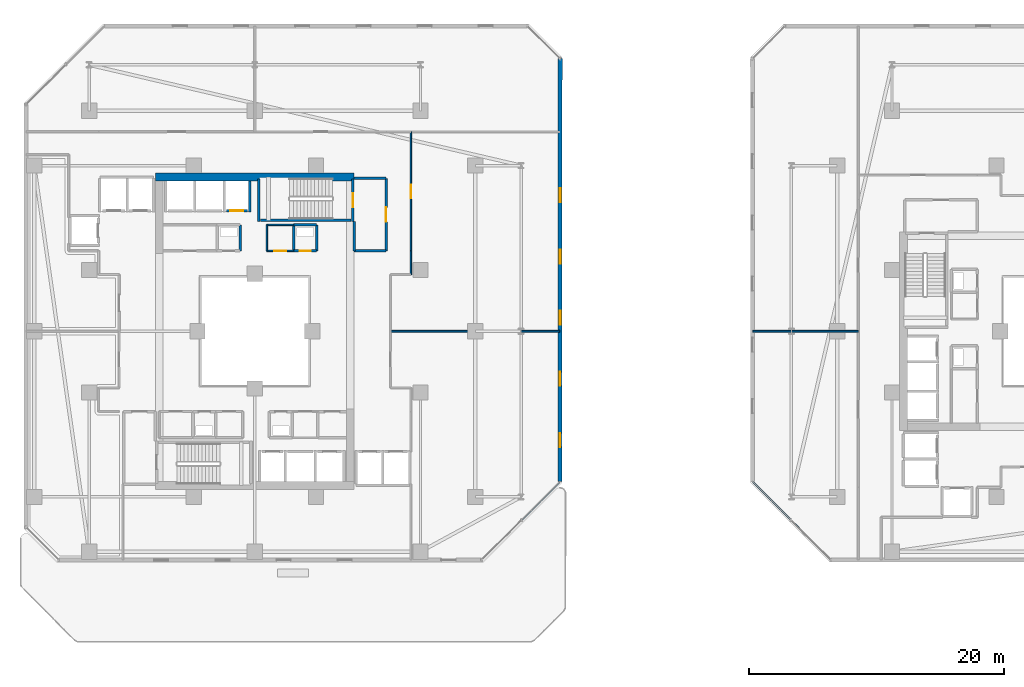
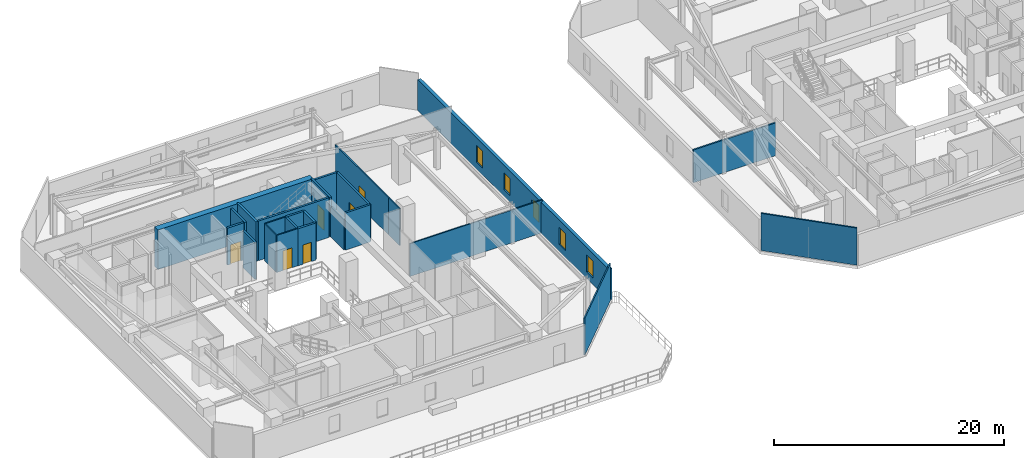
# One storey, part 18 of 30: 25 walls, 6 doors, 5 windows, 11 openings.
"""IFC4 building model written with IfcOpenShell, lengths in metres."""

from ifc_helpers import new_model, si_unit, direction, frame, frame_2d, origin, place, context, subcontext, project, spatial, rectangle, extrude, material, layer, layer_set, type_object, element, fill, save


model = new_model("IFC4")

# Units and contexts
model_context = context("Model", 3, precision=1e-05, world=origin(), true_north=direction((0.0, 1.0)))
body_context = subcontext(model_context, "Body", "Model", "MODEL_VIEW")
ifc_project = project(units=[si_unit("LENGTHUNIT", "METRE"), si_unit("AREAUNIT", "SQUARE_METRE"), si_unit("VOLUMEUNIT", "CUBIC_METRE"), si_unit("PLANEANGLEUNIT", "RADIAN"), si_unit("MASSUNIT", "GRAM", prefix="KILO")], contexts=[model_context])

# Site, building, storey
site_placement = place(None, origin())
site = spatial("IfcSite", under=ifc_project, at=site_placement, CompositionType="ELEMENT")
building_placement = place(site_placement, origin())
building = spatial("IfcBuilding", under=site, at=building_placement, Name="Thornwick Lancets Civic Towers", CompositionType="ELEMENT")
storey_placement = place(building_placement, frame((0.0, 0.0, 75.89990234375)))
storey = spatial("IfcBuildingStorey", under=building, at=storey_placement, Name="L19", CompositionType="ELEMENT", Elevation=75.89990234375)

# Wall, opening, door
ifc_material_1 = material(Name="Concrete blockwork C40/50", Category="masonry")
ifc_layer_1 = layer(ifc_material_1, 0.199951171875, Name="Concrete blockwork C40/50")
ifc_layer_set_1 = layer_set([ifc_layer_1], Name="Concrete blockwork C40/50")
wall_type_1 = type_object("IfcWallType", Name="WALL_COMP_200", PredefinedType="STANDARD", material=ifc_layer_set_1)
wall_1_placement = place(storey_placement, frame((24.919921875, 36.449951171875, 0.0), z_axis=(0.0, 0.0, 1.0), x_axis=(-1.0, 0.0, 0.0)))
wall_1 = element("IfcWall", 1, at=wall_1_placement, inside=storey, type_object=wall_type_1, Name="L19 Hoistway Front Wall FL-A2", PredefinedType="STANDARD", context=body_context, shape_type="SweptSolid", body=[
    extrude(rectangle(XDim=1.639892578125, YDim=0.199951171875, at=frame_2d((0.81982421875, 0.0))), origin(), (0.0, 0.0, 1.0), 3.940185546875),
])
opening_1_placement = place(wall_1_placement, frame((0.31005859375, 0.0, 0.0)))
opening_1 = element("IfcOpeningElement", 2, at=opening_1_placement, cuts=wall_1, Name="Opening LD-FL-A2", PredefinedType="OPENING", context=body_context, shape_type="SweptSolid", body=[
    extrude(rectangle(XDim=1.02001953125, YDim=2.06005859375, at=frame_2d((0.510009765625, 1.030029296875))), frame((0.0, 0.10986328125, 0.0), z_axis=(0.0, -1.0, 0.0), x_axis=(1.0, 0.0, 0.0)), (0.0, 0.0, 1.0), 0.219970703125),
])
ifc_material_2 = material(Name="Brushed bronze stainless steel", Category="steel")
door_type_1 = type_object("IfcDoorType", Name="DOOR_LIFT_SLIDE", OperationType="SLIDING_TO_LEFT", PredefinedType="DOOR", material=ifc_material_2)
door_1_placement = place(opening_1_placement, origin())
door_1 = element("IfcDoor", 3, at=door_1_placement, inside=storey, type_object=door_type_1, Name="L19 Sliding Lift Landing Door LD-FL-A2", OperationType="SLIDING_TO_LEFT", OverallHeight=2.06005859375, OverallWidth=1.02001953125, PredefinedType="DOOR", context=body_context, shape_type="SweptSolid", body=[
    extrude(rectangle(XDim=1.02001953125, YDim=2.06005859375, at=frame_2d((0.510009765625, 1.030029296875))), frame((0.0, 0.02490234375, 0.0), z_axis=(0.0, -1.0, 0.0), x_axis=(1.0, 0.0, 0.0)), (0.0, 0.0, 1.0), 0.050048828125),
])
fill(opening_1, door_1)

# Walls
wall_2_placement = place(storey_placement, frame((25.10009765625, 36.35205078125, 0.0), z_axis=(0.0, 0.0, 1.0), x_axis=(0.0, 1.0, 0.0)))
element("IfcWall", 4, at=wall_2_placement, inside=storey, type_object=wall_type_1, Name="L19 Hoistway Shaft Wall FL-A2 E", PredefinedType="STANDARD", context=body_context, shape_type="SweptSolid", body=[
    extrude(rectangle(XDim=2.43603515625, YDim=0.199951171875, at=frame_2d((1.218017578125, 0.0))), origin(), (0.0, 0.0, 1.0), 3.940185546875),
])
wall_3_placement = place(storey_placement, frame((33.300048828125, 33.300048828125, 0.0), z_axis=(0.0, 0.0, 1.0), x_axis=(1.0, 0.0, 0.0)))
element("IfcWall", 5, at=wall_3_placement, inside=storey, type_object=wall_type_1, Name="L19 Partition L19-A-FFLOB2 E1", PredefinedType="STANDARD", context=body_context, shape_type="SweptSolid", body=[
    extrude(rectangle(XDim=2.5, YDim=0.199951171875, at=frame_2d((1.25, 0.0))), origin(), (0.0, 0.0, 1.0), 3.940185546875),
])

# Wall, opening, door
wall_4_placement = place(storey_placement, frame((35.800048828125, 33.300048828125, 0.0), z_axis=(0.0, 0.0, 1.0), x_axis=(0.0, 1.0, 0.0)))
wall_4 = element("IfcWall", 6, at=wall_4_placement, inside=storey, type_object=wall_type_1, Name="L19 Partition L19-A-FFLOB2 E2", PredefinedType="STANDARD", context=body_context, shape_type="SweptSolid", body=[
    extrude(rectangle(XDim=5.699951171875, YDim=0.199951171875, at=frame_2d((2.85009765625, 0.0))), origin(), (0.0, 0.0, 1.0), 3.940185546875),
])
opening_2_placement = place(wall_4_placement, frame((2.27490234375, 0.0, 0.0)))
opening_2 = element("IfcOpeningElement", 7, at=opening_2_placement, cuts=wall_4, Name="Opening D-L19-0892", PredefinedType="OPENING", context=body_context, shape_type="SweptSolid", body=[
    extrude(rectangle(XDim=1.14990234375, YDim=2.10009765625, at=frame_2d((0.574951171875, 1.050048828125))), frame((0.0, 0.10986328125, 0.0), z_axis=(0.0, -1.0, 0.0), x_axis=(1.0, 0.0, 0.0)), (0.0, 0.0, 1.0), 0.219970703125),
])
ifc_material_3 = material(Name="Glazed fire-resisting steel", Category="steel")
door_type_2 = type_object("IfcDoorType", Name="DOOR_LOBBY_FD60", OperationType="NOTDEFINED", PredefinedType="DOOR", material=ifc_material_3)
door_2_placement = place(opening_2_placement, origin())
door_2 = element("IfcDoor", 8, at=door_2_placement, inside=storey, type_object=door_type_2, Name="L19 North Firefighting Lobby 2 Door", OperationType="SINGLE_SWING_LEFT", OverallHeight=2.10009765625, OverallWidth=1.14990234375, PredefinedType="DOOR", context=body_context, shape_type="SweptSolid", body=[
    extrude(rectangle(XDim=1.14990234375, YDim=2.10009765625, at=frame_2d((0.574951171875, 1.050048828125))), frame((0.0, 0.02490234375, 0.0), z_axis=(0.0, -1.0, 0.0), x_axis=(1.0, 0.0, 0.0)), (0.0, 0.0, 1.0), 0.050048828125),
])
fill(opening_2, door_2)

# Walls
wall_5_placement = place(storey_placement, frame((35.800048828125, 39.0, 0.0), z_axis=(0.0, 0.0, 1.0), x_axis=(-1.0, 0.0, 0.0)))
element("IfcWall", 9, at=wall_5_placement, inside=storey, type_object=wall_type_1, Name="L19 Partition L19-A-FFLOB2 E3", PredefinedType="STANDARD", context=body_context, shape_type="SweptSolid", body=[
    extrude(rectangle(XDim=2.5, YDim=0.199951171875, at=frame_2d((1.25, 0.0))), origin(), (0.0, 0.0, 1.0), 3.940185546875),
])
wall_6_placement = place(storey_placement, frame((33.300048828125, 35.60009765625, 0.0), z_axis=(0.0, 0.0, 1.0), x_axis=(0.0, -1.0, 0.0)))
element("IfcWall", 10, at=wall_6_placement, inside=storey, type_object=wall_type_1, Name="L19 Partition L19-A-FFLOB2 E4", PredefinedType="STANDARD", context=body_context, shape_type="SweptSolid", body=[
    extrude(rectangle(XDim=2.300048828125, YDim=0.199951171875, at=frame_2d((1.14990234375, 0.0))), origin(), (0.0, 0.0, 1.0), 3.14501953125),
])
wall_7_placement = place(storey_placement, frame((24.35009765625, 33.300048828125, 0.0), z_axis=(0.0, 0.0, 1.0), x_axis=(0.0, 1.0, 0.0)))
element("IfcWall", 11, at=wall_7_placement, inside=storey, type_object=wall_type_1, Name="L19 Partition L19-A-DUCT2 E2", PredefinedType="STANDARD", context=body_context, shape_type="SweptSolid", body=[
    extrude(rectangle(XDim=2.050048828125, YDim=0.199951171875, at=frame_2d((1.02490234375, 0.0))), origin(), (0.0, 0.0, 1.0), 3.940185546875),
])

# Wall, opening, door
wall_8_placement = place(storey_placement, frame((28.550048828125, 33.300048828125, 0.0), z_axis=(0.0, 0.0, 1.0), x_axis=(1.0, 0.0, 0.0)))
wall_8 = element("IfcWall", 12, at=wall_8_placement, inside=storey, type_object=wall_type_1, Name="L19 Partition L19-A-RISER2 E1", PredefinedType="STANDARD", context=body_context, shape_type="SweptSolid", body=[
    extrude(rectangle(XDim=1.800048828125, YDim=0.199951171875, at=frame_2d((0.89990234375, 0.0))), origin(), (0.0, 0.0, 1.0), 3.940185546875),
])
opening_3_placement = place(wall_8_placement, frame((0.4599609375, 0.0, 0.0)))
opening_3 = element("IfcOpeningElement", 13, at=opening_3_placement, cuts=wall_8, Name="Opening D-L19-0896", PredefinedType="OPENING", context=body_context, shape_type="SweptSolid", body=[
    extrude(rectangle(XDim=0.8798828125, YDim=2.0400390625, at=frame_2d((0.43994140625, 1.02001953125))), frame((0.0, 0.10986328125, 0.0), z_axis=(0.0, -1.0, 0.0), x_axis=(1.0, 0.0, 0.0)), (0.0, 0.0, 1.0), 0.219970703125),
])
ifc_material_4 = material(Name="Steel riser access doorset", Category="steel")
door_type_3 = type_object("IfcDoorType", Name="DOOR_RISER_850", OperationType="NOTDEFINED", PredefinedType="DOOR", material=ifc_material_4)
door_3_placement = place(opening_3_placement, origin())
door_3 = element("IfcDoor", 14, at=door_3_placement, inside=storey, type_object=door_type_3, Name="L19 North Service Riser 2 Door", OperationType="SINGLE_SWING_LEFT", OverallHeight=2.0400390625, OverallWidth=0.8798828125, PredefinedType="DOOR", context=body_context, shape_type="SweptSolid", body=[
    extrude(rectangle(XDim=0.8798828125, YDim=2.0400390625, at=frame_2d((0.43994140625, 1.02001953125))), frame((0.0, 0.02490234375, 0.0), z_axis=(0.0, -1.0, 0.0), x_axis=(1.0, 0.0, 0.0)), (0.0, 0.0, 1.0), 0.050048828125),
])
fill(opening_3, door_3)

# Walls
wall_9_placement = place(storey_placement, frame((30.35009765625, 33.300048828125, 0.0), z_axis=(0.0, 0.0, 1.0), x_axis=(0.0, 1.0, 0.0)))
element("IfcWall", 15, at=wall_9_placement, inside=storey, type_object=wall_type_1, Name="L19 Partition L19-A-RISER2 E2", PredefinedType="STANDARD", context=body_context, shape_type="SweptSolid", body=[
    extrude(rectangle(XDim=2.050048828125, YDim=0.199951171875, at=frame_2d((1.02490234375, 0.0))), origin(), (0.0, 0.0, 1.0), 3.940185546875),
])
wall_10_placement = place(storey_placement, frame((30.35009765625, 35.35009765625, 0.0), z_axis=(0.0, 0.0, 1.0), x_axis=(-1.0, 0.0, 0.0)))
element("IfcWall", 16, at=wall_10_placement, inside=storey, type_object=wall_type_1, Name="L19 Partition L19-A-RISER2 E3", PredefinedType="STANDARD", context=body_context, shape_type="SweptSolid", body=[
    extrude(rectangle(XDim=1.800048828125, YDim=0.199951171875, at=frame_2d((0.89990234375, 0.0))), origin(), (0.0, 0.0, 1.0), 3.940185546875),
])
wall_11_placement = place(storey_placement, frame((28.550048828125, 35.35009765625, 0.0), z_axis=(0.0, 0.0, 1.0), x_axis=(0.0, -1.0, 0.0)))
element("IfcWall", 17, at=wall_11_placement, inside=storey, type_object=wall_type_1, Name="L19 Partition L19-A-RISER2 E4", PredefinedType="STANDARD", context=body_context, shape_type="SweptSolid", body=[
    extrude(rectangle(XDim=2.050048828125, YDim=0.199951171875, at=frame_2d((1.02490234375, 0.0))), origin(), (0.0, 0.0, 1.0), 3.940185546875),
])
ifc_material_5 = material(Name="Concrete C60/75", Category="concrete")
ifc_layer_2 = layer(ifc_material_5, 0.60009765625, Name="Concrete C60/75")
ifc_layer_set_2 = layer_set([ifc_layer_2], Name="Concrete C60/75")
wall_type_2 = type_object("IfcWallType", Name="WALL_CORE_600", PredefinedType="SHEAR", material=ifc_layer_set_2)
wall_12_placement = place(storey_placement, frame((17.699951171875, 39.10009765625, 0.0), z_axis=(0.0, 0.0, 1.0), x_axis=(1.0, 0.0, 0.0)))
element("IfcWall", 18, at=wall_12_placement, inside=storey, type_object=wall_type_2, Name="L19 Split Core A2 Shear Wall N", PredefinedType="SHEAR", context=body_context, shape_type="SweptSolid", body=[
    extrude(rectangle(XDim=15.60009765625, YDim=0.60009765625, at=frame_2d((7.800048828125, 0.0))), origin(), (0.0, 0.0, 1.0), 4.2001953125),
])

# Wall, openings, windows
ifc_material_6 = material(Name="Insulated buff terracotta rainscreen on concrete C40/50", Category="masonry")
ifc_layer_3 = layer(ifc_material_6, 0.320068359375, Name="Insulated buff terracotta rainscreen on concrete C40/50")
ifc_layer_set_3 = layer_set([ifc_layer_3], Name="Insulated buff terracotta rainscreen on concrete C40/50")
wall_type_3 = type_object("IfcWallType", Name="WALL_EXT_TERRA_320", PredefinedType="STANDARD", material=ifc_layer_set_3)
wall_13_placement = place(storey_placement, frame((49.452880859375, 15.203857421875, 0.0), z_axis=(0.0, 0.0, 1.0), x_axis=(0.000353213856, 0.99999993762, 0.0)))
wall_13 = element("IfcWall", 19, at=wall_13_placement, inside=storey, type_object=wall_type_3, Name="L19 Tower A Terracotta Facade Wall E2", PredefinedType="STANDARD", context=body_context, shape_type="SweptSolid", body=[
    extrude(rectangle(XDim=33.177490234375, YDim=0.320068359375, at=frame_2d((16.5888671875, 0.0))), origin(), (0.0, 0.0, 1.0), 3.300048828125),
])
opening_4_placement = place(wall_13_placement, frame((2.699951171875, 0.0, 0.719970703125)))
opening_4 = element("IfcOpeningElement", 20, at=opening_4_placement, cuts=wall_13, Name="Opening WL-02", PredefinedType="OPENING", context=body_context, shape_type="SweptSolid", body=[
    extrude(rectangle(XDim=1.10009765625, YDim=1.800048828125, at=frame_2d((0.550048828125, 0.89990234375))), frame((0.0, 0.169921875, 0.0), z_axis=(0.0, -1.0, 0.0), x_axis=(1.0, 0.0, 0.0)), (0.0, 0.0, 1.0), 0.340087890625),
])
opening_5_placement = place(wall_13_placement, frame((7.5, 0.0, 0.719970703125)))
opening_5 = element("IfcOpeningElement", 21, at=opening_5_placement, cuts=wall_13, Name="Opening WL-02", PredefinedType="OPENING", context=body_context, shape_type="SweptSolid", body=[
    extrude(rectangle(XDim=1.10009765625, YDim=1.800048828125, at=frame_2d((0.550048828125, 0.89990234375))), frame((0.0, 0.169921875, 0.0), z_axis=(0.0, -1.0, 0.0), x_axis=(1.0, 0.0, 0.0)), (0.0, 0.0, 1.0), 0.340087890625),
])
opening_6_placement = place(wall_13_placement, frame((12.300048828125, 0.0, 0.719970703125)))
opening_6 = element("IfcOpeningElement", 22, at=opening_6_placement, cuts=wall_13, Name="Opening WL-02", PredefinedType="OPENING", context=body_context, shape_type="SweptSolid", body=[
    extrude(rectangle(XDim=1.10009765625, YDim=1.800048828125, at=frame_2d((0.550048828125, 0.89990234375))), frame((0.0, 0.169921875, 0.0), z_axis=(0.0, -1.0, 0.0), x_axis=(1.0, 0.0, 0.0)), (0.0, 0.0, 1.0), 0.340087890625),
])
opening_7_placement = place(wall_13_placement, frame((17.10009765625, 0.0, 0.719970703125)))
opening_7 = element("IfcOpeningElement", 23, at=opening_7_placement, cuts=wall_13, Name="Opening WL-02", PredefinedType="OPENING", context=body_context, shape_type="SweptSolid", body=[
    extrude(rectangle(XDim=1.10009765625, YDim=1.800048828125, at=frame_2d((0.550048828125, 0.89990234375))), frame((0.0, 0.169921875, 0.0), z_axis=(0.0, -1.0, 0.0), x_axis=(1.0, 0.0, 0.0)), (0.0, 0.0, 1.0), 0.340087890625),
])
opening_8_placement = place(wall_13_placement, frame((21.89990234375, 0.0, 0.719970703125)))
opening_8 = element("IfcOpeningElement", 24, at=opening_8_placement, cuts=wall_13, Name="Opening WL-02", PredefinedType="OPENING", context=body_context, shape_type="SweptSolid", body=[
    extrude(rectangle(XDim=1.10009765625, YDim=1.800048828125, at=frame_2d((0.550048828125, 0.89990234375))), frame((0.0, 0.169921875, 0.0), z_axis=(0.0, -1.0, 0.0), x_axis=(1.0, 0.0, 0.0)), (0.0, 0.0, 1.0), 0.340087890625),
])
ifc_material_7 = material(Name="Clear low-e double glazing in bronze frame", Category="glass")
window_type = type_object("IfcWindowType", Name="WIN_LANCET_1100", PartitioningType="SINGLE_PANEL", PredefinedType="WINDOW", material=ifc_material_7)
window_1_placement = place(opening_4_placement, origin())
window_1 = element("IfcWindow", 25, at=window_1_placement, inside=storey, type_object=window_type, Name="L19 Tower A Staggered Lancet Window E2-1", OverallHeight=1.800048828125, OverallWidth=1.10009765625, PartitioningType="SINGLE_PANEL", PredefinedType="WINDOW", context=body_context, shape_type="SweptSolid", body=[
    extrude(rectangle(XDim=1.10009765625, YDim=1.800048828125, at=frame_2d((0.550048828125, 0.89990234375))), frame((0.0, 0.030029296875, 0.0), z_axis=(0.0, -1.0, 0.0), x_axis=(1.0, 0.0, 0.0)), (0.0, 0.0, 1.0), 0.06005859375),
])
fill(opening_4, window_1)
window_2_placement = place(opening_5_placement, origin())
window_2 = element("IfcWindow", 26, at=window_2_placement, inside=storey, type_object=window_type, Name="L19 Tower A Staggered Lancet Window E2-2", OverallHeight=1.800048828125, OverallWidth=1.10009765625, PartitioningType="SINGLE_PANEL", PredefinedType="WINDOW", context=body_context, shape_type="SweptSolid", body=[
    extrude(rectangle(XDim=1.10009765625, YDim=1.800048828125, at=frame_2d((0.550048828125, 0.89990234375))), frame((0.0, 0.030029296875, 0.0), z_axis=(0.0, -1.0, 0.0), x_axis=(1.0, 0.0, 0.0)), (0.0, 0.0, 1.0), 0.06005859375),
])
fill(opening_5, window_2)
window_3_placement = place(opening_6_placement, origin())
window_3 = element("IfcWindow", 27, at=window_3_placement, inside=storey, type_object=window_type, Name="L19 Tower A Staggered Lancet Window E2-3", OverallHeight=1.800048828125, OverallWidth=1.10009765625, PartitioningType="SINGLE_PANEL", PredefinedType="WINDOW", context=body_context, shape_type="SweptSolid", body=[
    extrude(rectangle(XDim=1.10009765625, YDim=1.800048828125, at=frame_2d((0.550048828125, 0.89990234375))), frame((0.0, 0.030029296875, 0.0), z_axis=(0.0, -1.0, 0.0), x_axis=(1.0, 0.0, 0.0)), (0.0, 0.0, 1.0), 0.06005859375),
])
fill(opening_6, window_3)
window_4_placement = place(opening_7_placement, origin())
window_4 = element("IfcWindow", 28, at=window_4_placement, inside=storey, type_object=window_type, Name="L19 Tower A Staggered Lancet Window E2-4", OverallHeight=1.800048828125, OverallWidth=1.10009765625, PartitioningType="SINGLE_PANEL", PredefinedType="WINDOW", context=body_context, shape_type="SweptSolid", body=[
    extrude(rectangle(XDim=1.10009765625, YDim=1.800048828125, at=frame_2d((0.550048828125, 0.89990234375))), frame((0.0, 0.030029296875, 0.0), z_axis=(0.0, -1.0, 0.0), x_axis=(1.0, 0.0, 0.0)), (0.0, 0.0, 1.0), 0.06005859375),
])
fill(opening_7, window_4)
window_5_placement = place(opening_8_placement, origin())
window_5 = element("IfcWindow", 29, at=window_5_placement, inside=storey, type_object=window_type, Name="L19 Tower A Staggered Lancet Window E2-5", OverallHeight=1.800048828125, OverallWidth=1.10009765625, PartitioningType="SINGLE_PANEL", PredefinedType="WINDOW", context=body_context, shape_type="SweptSolid", body=[
    extrude(rectangle(XDim=1.10009765625, YDim=1.800048828125, at=frame_2d((0.550048828125, 0.89990234375))), frame((0.0, 0.030029296875, 0.0), z_axis=(0.0, -1.0, 0.0), x_axis=(1.0, 0.0, 0.0)), (0.0, 0.0, 1.0), 0.06005859375),
])
fill(opening_8, window_5)

# Walls
ifc_material_8 = material(Name="Acoustic gypsum board partition")
ifc_layer_4 = layer(ifc_material_8, 0.1201171875, Name="Acoustic gypsum board partition")
ifc_layer_set_4 = layer_set([ifc_layer_4], Name="Acoustic gypsum board partition")
wall_type_4 = type_object("IfcWallType", Name="WALL_PART_120", PredefinedType="PARTITIONING", material=ifc_layer_set_4)
wall_14_placement = place(storey_placement, frame((26.449951171875, 33.300048828125, 0.0), z_axis=(0.0, 0.0, 1.0), x_axis=(0.0, 1.0, 0.0)))
element("IfcWall", 30, at=wall_14_placement, inside=storey, type_object=wall_type_4, Name="L19 Partition L19-A-ITR E1", PredefinedType="PARTITIONING", context=body_context, shape_type="SweptSolid", body=[
    extrude(rectangle(XDim=2.050048828125, YDim=0.1201171875, at=frame_2d((1.02490234375, 0.0))), origin(), (0.0, 0.0, 1.0), 3.940185546875),
])
wall_15_placement = place(storey_placement, frame((26.449951171875, 35.35009765625, 0.0), z_axis=(0.0, 0.0, 1.0), x_axis=(1.0, 0.0, 0.0)))
element("IfcWall", 31, at=wall_15_placement, inside=storey, type_object=wall_type_4, Name="L19 Partition L19-A-ITR E2", PredefinedType="PARTITIONING", context=body_context, shape_type="SweptSolid", body=[
    extrude(rectangle(XDim=2.10009765625, YDim=0.1201171875, at=frame_2d((1.050048828125, 0.0))), origin(), (0.0, 0.0, 1.0), 3.940185546875),
])

# Wall, opening, door
wall_16_placement = place(storey_placement, frame((28.550048828125, 33.300048828125, 0.0), z_axis=(0.0, 0.0, 1.0), x_axis=(-1.0, 0.0, 0.0)))
wall_16 = element("IfcWall", 32, at=wall_16_placement, inside=storey, type_object=wall_type_4, Name="L19 Partition L19-A-ITR E4", PredefinedType="PARTITIONING", context=body_context, shape_type="SweptSolid", body=[
    extrude(rectangle(XDim=2.10009765625, YDim=0.1201171875, at=frame_2d((1.050048828125, 0.0))), origin(), (0.0, 0.0, 1.0), 3.940185546875),
])
opening_9_placement = place(wall_16_placement, frame((0.574951171875, 0.0, 0.0)))
opening_9 = element("IfcOpeningElement", 33, at=opening_9_placement, cuts=wall_16, Name="Opening D-L19-0902", PredefinedType="OPENING", context=body_context, shape_type="SweptSolid", body=[
    extrude(rectangle(XDim=0.949951171875, YDim=2.10009765625, at=frame_2d((0.47509765625, 1.050048828125))), frame((0.0, 0.070068359375, 0.0), z_axis=(0.0, -1.0, 0.0), x_axis=(1.0, 0.0, 0.0)), (0.0, 0.0, 1.0), 0.14013671875),
])
ifc_material_9 = material(Name="European oak acoustic doorset")
door_type_4 = type_object("IfcDoorType", Name="DOOR_OFFICE_950", OperationType="NOTDEFINED", PredefinedType="DOOR", material=ifc_material_9)
door_4_placement = place(opening_9_placement, origin())
door_4 = element("IfcDoor", 34, at=door_4_placement, inside=storey, type_object=door_type_4, Name="L19 Tower A Comms Patch Room Door", OperationType="SINGLE_SWING_LEFT", OverallHeight=2.10009765625, OverallWidth=0.949951171875, PredefinedType="DOOR", context=body_context, shape_type="SweptSolid", body=[
    extrude(rectangle(XDim=0.949951171875, YDim=2.10009765625, at=frame_2d((0.47509765625, 1.050048828125))), frame((0.0, 0.02490234375, 0.0), z_axis=(0.0, -1.0, 0.0), x_axis=(1.0, 0.0, 0.0)), (0.0, 0.0, 1.0), 0.050048828125),
])
fill(opening_9, door_4)

# Walls
wall_17_placement = place(storey_placement, frame((36.14990234375, 27.0, 0.0), z_axis=(0.0, 0.0, 1.0), x_axis=(1.0, 0.0, 0.0)))
element("IfcWall", 35, at=wall_17_placement, inside=storey, type_object=wall_type_4, Name="L19 Partition L19-A-E1 E5", PredefinedType="PARTITIONING", context=body_context, shape_type="SweptSolid", body=[
    extrude(rectangle(XDim=13.27001953125, YDim=0.1201171875, at=frame_2d((6.635009765625, 0.0))), origin(), (0.0, 0.0, 1.0), 3.481689453125),
])
wall_18_placement = place(storey_placement, frame((49.419921875, 15.174560546875, 0.0), z_axis=(0.0, 0.0, 1.0), x_axis=(-0.707106781187, -0.707106781187, 0.0)))
element("IfcWall", 36, at=wall_18_placement, inside=storey, type_object=wall_type_4, Name="L19 Partition L19-A-E1 E7", PredefinedType="PARTITIONING", context=body_context, shape_type="SweptSolid", body=[
    extrude(rectangle(XDim=8.618896484375, YDim=0.1201171875, at=frame_2d((4.3095703125, 0.0))), origin(), (0.0, 0.0, 1.0), 3.940185546875),
])
wall_19_placement = place(storey_placement, frame((37.75, 31.449951171875, 0.0), z_axis=(0.0, 0.0, 1.0), x_axis=(0.0, 1.0, 0.0)))
element("IfcWall", 37, at=wall_19_placement, inside=storey, type_object=wall_type_4, Name="L19 Partition L19-A-E2 E2", PredefinedType="PARTITIONING", context=body_context, shape_type="SweptSolid", body=[
    extrude(rectangle(XDim=1.85009765625, YDim=0.1201171875, at=frame_2d((0.925048828125, 0.0))), origin(), (0.0, 0.0, 1.0), 3.940185546875),
])

# Wall, opening, door
wall_20_placement = place(storey_placement, frame((37.75, 33.300048828125, 0.0), z_axis=(0.0, 0.0, 1.0), x_axis=(0.0, 1.0, 0.0)))
wall_20 = element("IfcWall", 38, at=wall_20_placement, inside=storey, type_object=wall_type_4, Name="L19 Partition L19-A-E2 E3", PredefinedType="PARTITIONING", context=body_context, shape_type="SweptSolid", body=[
    extrude(rectangle(XDim=9.349853515625, YDim=0.1201171875, at=frame_2d((4.6748046875, 0.0))), origin(), (0.0, 0.0, 1.0), 3.940185546875),
])
opening_10_placement = place(wall_20_placement, frame((4.14990234375, 0.0, 0.0)))
opening_10 = element("IfcOpeningElement", 39, at=opening_10_placement, cuts=wall_20, Name="Opening D-L19-0918", PredefinedType="OPENING", context=body_context, shape_type="SweptSolid", body=[
    extrude(rectangle(XDim=1.050048828125, YDim=2.10009765625, at=frame_2d((0.52490234375, 1.050048828125))), frame((0.0, 0.070068359375, 0.0), z_axis=(0.0, -1.0, 0.0), x_axis=(1.0, 0.0, 0.0)), (0.0, 0.0, 1.0), 0.14013671875),
])
ifc_material_10 = material(Name="Glazed European oak executive doorset")
door_type_5 = type_object("IfcDoorType", Name="DOOR_OFFICE_1050", OperationType="NOTDEFINED", PredefinedType="DOOR", material=ifc_material_10)
door_5_placement = place(opening_10_placement, origin())
door_5 = element("IfcDoor", 40, at=door_5_placement, inside=storey, type_object=door_type_5, Name="L19 Tower A Visitors Reception and Waiting Door", OperationType="SINGLE_SWING_LEFT", OverallHeight=2.10009765625, OverallWidth=1.050048828125, PredefinedType="DOOR", context=body_context, shape_type="SweptSolid", body=[
    extrude(rectangle(XDim=1.050048828125, YDim=2.10009765625, at=frame_2d((0.52490234375, 1.050048828125))), frame((0.0, 0.02490234375, 0.0), z_axis=(0.0, -1.0, 0.0), x_axis=(1.0, 0.0, 0.0)), (0.0, 0.0, 1.0), 0.050048828125),
])
fill(opening_10, door_5)

# Walls
ifc_material_11 = material(Name="Twin-stud acoustic gypsum board")
ifc_layer_5 = layer(ifc_material_11, 0.14990234375, Name="Twin-stud acoustic gypsum board")
ifc_layer_set_5 = layer_set([ifc_layer_5], Name="Twin-stud acoustic gypsum board")
wall_type_5 = type_object("IfcWallType", Name="WALL_PART_150", PredefinedType="PARTITIONING", material=ifc_layer_set_5)
wall_21_placement = place(storey_placement, frame((70.674560546875, 9.080078125, 0.0), z_axis=(0.0, 0.0, 1.0), x_axis=(-0.707106781187, 0.707106781187, 0.0)))
element("IfcWall", 41, at=wall_21_placement, inside=storey, type_object=wall_type_5, Name="L19 Partition L19-B-N-CONF E3", PredefinedType="PARTITIONING", context=body_context, shape_type="SweptSolid", body=[
    extrude(rectangle(XDim=8.618896484375, YDim=0.14990234375, at=frame_2d((4.3095703125, 0.0))), origin(), (0.0, 0.0, 1.0), 3.940185546875),
])
wall_22_placement = place(storey_placement, frame((64.580078125, 27.0, 0.0), z_axis=(0.0, 0.0, 1.0), x_axis=(1.0, 0.0, 0.0)))
element("IfcWall", 42, at=wall_22_placement, inside=storey, type_object=wall_type_5, Name="L19 Partition L19-B-N-CONF E5", PredefinedType="PARTITIONING", context=body_context, shape_type="SweptSolid", body=[
    extrude(rectangle(XDim=8.27001953125, YDim=0.14990234375, at=frame_2d((4.135009765625, 0.0))), origin(), (0.0, 0.0, 1.0), 3.481689453125),
])

# Wall, opening, door
ifc_material_12 = material(Name="Concrete C40/50", Category="concrete")
ifc_layer_6 = layer(ifc_material_12, 0.199951171875, Name="Concrete C40/50")
ifc_layer_set_6 = layer_set([ifc_layer_6], Name="Concrete C40/50")
wall_type_6 = type_object("IfcWallType", Name="WALL_SHAFT_200", PredefinedType="SHEAR", material=ifc_layer_set_6)
wall_23_placement = place(storey_placement, frame((33.199951171875, 38.949951171875, 0.0), z_axis=(0.0, 0.0, 1.0), x_axis=(0.0, -1.0, 0.0)))
wall_23 = element("IfcWall", 43, at=wall_23_placement, inside=storey, type_object=wall_type_6, Name="L19 ST-A2 Fire Stair Core Wall NEAR", PredefinedType="SHEAR", context=body_context, shape_type="SweptSolid", body=[
    extrude(rectangle(XDim=3.349853515625, YDim=0.199951171875, at=frame_2d((1.6748046875, 0.0))), origin(), (0.0, 0.0, 1.0), 4.2001953125),
])
opening_11_placement = place(wall_23_placement, frame((1.125, 0.0, 0.0)))
opening_11 = element("IfcOpeningElement", 44, at=opening_11_placement, cuts=wall_23, Name="Opening D-ST-A2-L19", PredefinedType="OPENING", context=body_context, shape_type="SweptSolid", body=[
    extrude(rectangle(XDim=1.10009765625, YDim=2.10009765625, at=frame_2d((0.550048828125, 1.050048828125))), frame((0.0, 0.10986328125, 0.0), z_axis=(0.0, -1.0, 0.0), x_axis=(1.0, 0.0, 0.0)), (0.0, 0.0, 1.0), 0.219970703125),
])
ifc_material_13 = material(Name="Fire-resisting steel and hardwood", Category="steel")
door_type_6 = type_object("IfcDoorType", Name="DOOR_STAIR_FD60", OperationType="NOTDEFINED", PredefinedType="DOOR", material=ifc_material_13)
door_6_placement = place(opening_11_placement, origin())
door_6 = element("IfcDoor", 45, at=door_6_placement, inside=storey, type_object=door_type_6, Name="L19 ST-A2 Exit Stair Door", OperationType="SINGLE_SWING_LEFT", OverallHeight=2.10009765625, OverallWidth=1.10009765625, PredefinedType="DOOR", context=body_context, shape_type="SweptSolid", body=[
    extrude(rectangle(XDim=1.10009765625, YDim=2.10009765625, at=frame_2d((0.550048828125, 1.050048828125))), frame((0.0, 0.02490234375, 0.0), z_axis=(0.0, -1.0, 0.0), x_axis=(1.0, 0.0, 0.0)), (0.0, 0.0, 1.0), 0.050048828125),
])
fill(opening_11, door_6)

# Walls
wall_24_placement = place(storey_placement, frame((25.800048828125, 35.60009765625, 0.0), z_axis=(0.0, 0.0, 1.0), x_axis=(0.0, 1.0, 0.0)))
element("IfcWall", 46, at=wall_24_placement, inside=storey, type_object=wall_type_6, Name="L19 ST-A2 Fire Stair Core Wall FAR", PredefinedType="SHEAR", context=body_context, shape_type="SweptSolid", body=[
    extrude(rectangle(XDim=3.349853515625, YDim=0.199951171875, at=frame_2d((1.6748046875, 0.0))), origin(), (0.0, 0.0, 1.0), 4.2001953125),
])
wall_25_placement = place(storey_placement, frame((25.949951171875, 35.702880859375, 0.0), z_axis=(0.0, 0.0, 1.0), x_axis=(1.0, 0.0, 0.0)))
element("IfcWall", 47, at=wall_25_placement, inside=storey, type_object=wall_type_6, Name="L19 ST-A2 Fire Stair Core Wall RIGHT", PredefinedType="SHEAR", context=body_context, shape_type="SweptSolid", body=[
    extrude(rectangle(XDim=7.10009765625, YDim=0.199951171875, at=frame_2d((3.550048828125, 0.0))), origin(), (0.0, 0.0, 1.0), 4.2001953125),
])

save(model, "model.ifc")
